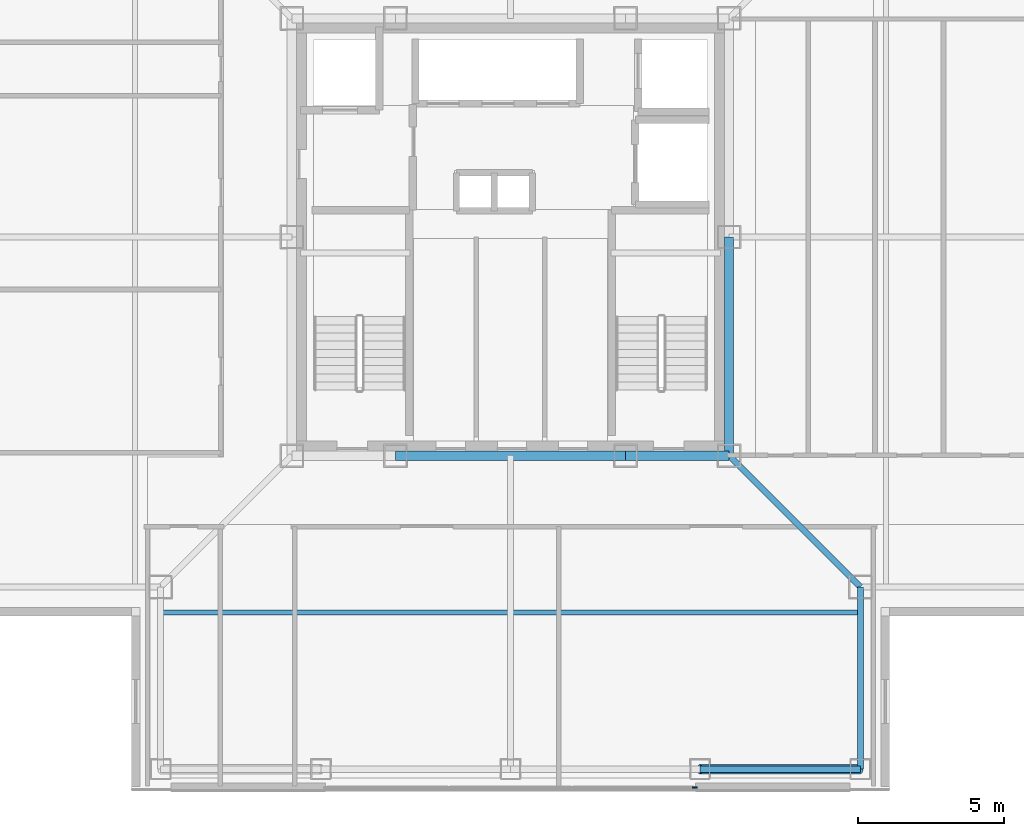
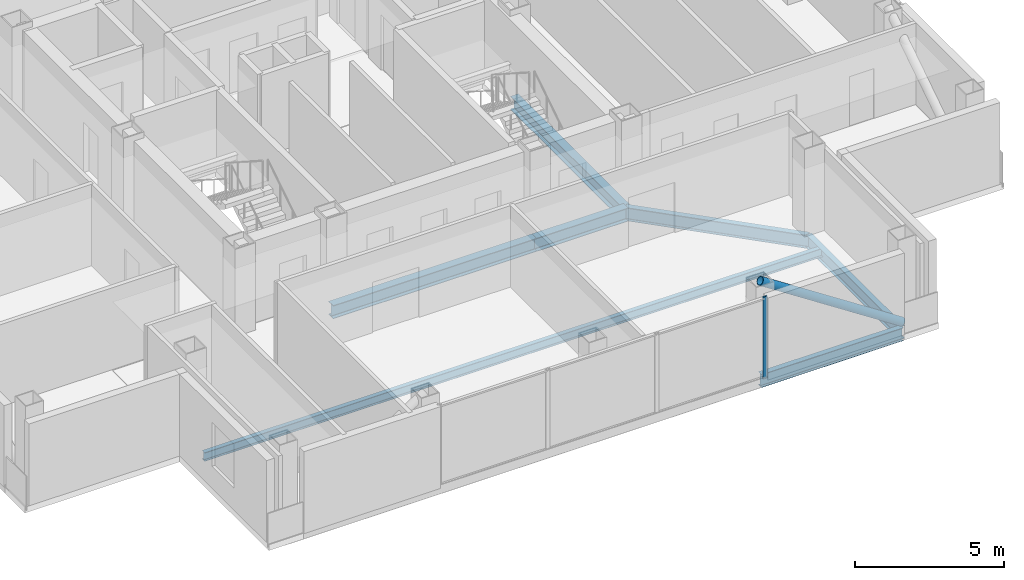
# One storey, part 3 of 16: 7 beams, 2 members, 1 element without a shape of its own.
"""IFC4 building model written with IfcOpenShell, lengths in metres."""

import ifcopenshell
import ifcopenshell.guid

model = None  # the IFC model being written
_history = None  # IfcOwnerHistory: only IFC2X3 demands one
_inside = {}  # id of a spatial element -> (the spatial element, [elements in it])
_under = {}  # id of a project, library or spatial element -> (it, [spatial elements below it])
_declared = {}  # id of a project -> (the project, [libraries it declares])
_typed = {}  # id of a type object -> (the type object, [elements of that type])
_made_of = {}  # id of a material, layer set ... -> (it, [elements and type objects made of it])


def new_model(schema):
    """Start an empty IFC model of exactly this schema.

    Asked for "IFC4X3", IfcOpenShell would pick the latest addendum, in which some entities
    have other attributes; the version numbers below select the first issue.
    IFC2X3 requires an IfcOwnerHistory on every rooted entity: one is made here for all.
    """
    global model, _history
    if schema == "IFC4X3":
        model = ifcopenshell.file(schema_version=(4, 3, 0, 0))
    else:
        model = ifcopenshell.file(schema=schema)
    _inside.clear()
    _under.clear()
    _declared.clear()
    _typed.clear()
    _made_of.clear()
    _history = None
    if model.schema == "IFC2X3":
        org = make("IfcOrganization", Name="unknown")
        user = make(
            "IfcPersonAndOrganization",
            ThePerson=make("IfcPerson", FamilyName="unknown"),
            TheOrganization=org,
        )
        app = make(
            "IfcApplication",
            ApplicationDeveloper=org,
            Version="unknown",
            ApplicationFullName="unknown",
            ApplicationIdentifier="unknown",
        )
        _history = make(
            "IfcOwnerHistory",
            OwningUser=user,
            OwningApplication=app,
            ChangeAction="ADDED",
            CreationDate=0,
        )
    return model


def make(cls, **values):
    """One entity of the class cls with the attributes given. An attribute that is None is left unset."""
    return model.create_entity(
        cls, **{name: value for name, value in values.items() if value is not None}
    )


def rooted(cls, **values):
    """An entity with a GlobalId (a new one), such as an element, a storey or a relation."""
    return make(cls, GlobalId=ifcopenshell.guid.new(), OwnerHistory=_history, **values)


def si_unit(unit_type, name, prefix=None):
    """IfcSIUnit, for example si_unit("LENGTHUNIT", "METRE", prefix="MILLI")."""
    return make("IfcSIUnit", UnitType=unit_type, Prefix=prefix, Name=name)


def assignment(units):
    """IfcUnitAssignment: the units of a project."""
    return None if units is None else make("IfcUnitAssignment", Units=units)


def point(xyz):
    """IfcCartesianPoint."""
    return None if xyz is None else make("IfcCartesianPoint", Coordinates=xyz)


def direction(xyz):
    """IfcDirection."""
    return None if xyz is None else make("IfcDirection", DirectionRatios=xyz)


def frame(location, z_axis=None, x_axis=None):
    """IfcAxis2Placement3D, a coordinate frame: its origin and axes. An axis left out is left unset."""
    return make(
        "IfcAxis2Placement3D",
        Location=point(location),
        Axis=direction(z_axis),
        RefDirection=direction(x_axis),
    )


def frame_2d(location, x_axis=None):
    """IfcAxis2Placement2D, a coordinate frame in the plane: its origin and x axis."""
    return make(
        "IfcAxis2Placement2D", Location=point(location), RefDirection=direction(x_axis)
    )


def origin():
    """The frame at (0, 0, 0) with its axes left unset."""
    return frame((0.0, 0.0, 0.0))


def origin_2d():
    """The frame at (0, 0) in the plane with its x axis left unset."""
    return frame_2d((0.0, 0.0))


def place(relative_to, where):
    """IfcLocalPlacement: puts the frame where relative to a parent placement (None: the world)."""
    return make(
        "IfcLocalPlacement", PlacementRelTo=relative_to, RelativePlacement=where
    )


def context(
    kind, dimensions, precision=None, world=None, true_north=None, identifier=None
):
    """IfcGeometricRepresentationContext, for example the 3D "Model" context."""
    return make(
        "IfcGeometricRepresentationContext",
        ContextIdentifier=identifier,
        ContextType=kind,
        CoordinateSpaceDimension=dimensions,
        Precision=precision,
        WorldCoordinateSystem=world,
        TrueNorth=true_north,
    )


def subcontext(parent, identifier, kind, view, scale=None):
    """IfcGeometricRepresentationSubContext, for example "Body" below "Model"."""
    return make(
        "IfcGeometricRepresentationSubContext",
        ContextIdentifier=identifier,
        ContextType=kind,
        ParentContext=parent,
        TargetScale=scale,
        TargetView=view,
    )


def project(units=None, contexts=None):
    """IfcProject with its units and contexts."""
    return rooted(
        "IfcProject",
        Name="project",
        RepresentationContexts=contexts,
        UnitsInContext=assignment(units),
    )


def spatial(cls, under=None, at=None, **own):
    """A site, building, storey or space (cls), placed at a placement, below another one or the project."""
    s = rooted(cls, ObjectPlacement=at, **own)
    if under is not None:
        _under.setdefault(under.id(), (under, []))[1].append(s)
    return s


def profile(cls, at=None, kind="AREA", **sizes):
    """A parametric profile (cls). Its sizes go by their IFC names, for example OverallWidth=200.0."""
    return make(cls, ProfileType=kind, Position=at, **sizes)


def rectangle(**sizes):
    """IfcRectangleProfileDef."""
    return profile("IfcRectangleProfileDef", **sizes)


def hollow_circle(**sizes):
    """IfcCircleHollowProfileDef."""
    return profile("IfcCircleHollowProfileDef", **sizes)


def i_section(**sizes):
    """IfcIShapeProfileDef."""
    return profile("IfcIShapeProfileDef", **sizes)


def extrude(swept, where, along, depth):
    """IfcExtrudedAreaSolid: the profile swept, set in the frame where, extruded along a direction by depth."""
    return make(
        "IfcExtrudedAreaSolid",
        SweptArea=swept,
        Position=where,
        ExtrudedDirection=direction(along),
        Depth=depth,
    )


def shape(context_of_items, identifier, shape_type, items):
    """IfcShapeRepresentation: the items that make up one representation, for example the "Body"."""
    return make(
        "IfcShapeRepresentation",
        ContextOfItems=context_of_items,
        RepresentationIdentifier=identifier,
        RepresentationType=shape_type,
        Items=items,
    )


def material(Name=None, Category=None):
    """IfcMaterial."""
    return make("IfcMaterial", Name=Name, Category=Category)


def layer(
    of_material, thickness, ventilated=None, Name=None, Category=None, Priority=None
):
    """IfcMaterialLayer: one layer of a wall or slab, of a material (None: an air gap)."""
    return make(
        "IfcMaterialLayer",
        Material=of_material,
        LayerThickness=thickness,
        IsVentilated=ventilated,
        Name=Name,
        Category=Category,
        Priority=Priority,
    )


def layer_set(layers, Name=None):
    """IfcMaterialLayerSet."""
    return make("IfcMaterialLayerSet", MaterialLayers=layers, LayerSetName=Name)


def material_profile(
    of_material, cross_section, Name=None, Category=None, Priority=None
):
    """IfcMaterialProfile: a cross section and its material."""
    return make(
        "IfcMaterialProfile",
        Name=Name,
        Material=of_material,
        Profile=cross_section,
        Priority=Priority,
        Category=Category,
    )


def profile_set(profiles, Name=None, composite=None):
    """IfcMaterialProfileSet."""
    return make(
        "IfcMaterialProfileSet",
        Name=Name,
        MaterialProfiles=profiles,
        CompositeProfile=composite,
    )


def made_of(thing, what):
    """Note that an element or type object is made of a material, layer set ...; save() writes the relation."""
    if what is not None:
        _made_of.setdefault(what.id(), (what, []))[1].append(thing)
    return thing


def type_object(cls, material=None, **own):
    """A type object (cls), such as IfcWallType, which elements share."""
    return made_of(rooted(cls, **own), material)


def element(
    cls,
    number,
    at=None,
    inside=None,
    cuts=None,
    type_object=None,
    material=None,
    context=None,
    identifier="Body",
    shape_type=None,
    held_by="IfcProductDefinitionShape",
    body=None,
    shapes=None,
    **own,
):
    """One element of the class cls, such as IfcWall. Its Tag is "e" and its number.

    at: its placement. inside: the storey or other place that contains it. cuts: it is an
    opening in that element (IfcRelVoidsElement). A single representation is given by context,
    identifier, shape_type and body (its items); several are given by shapes. held_by: the class
    of the entity that holds the representations. save() writes the other relations.
    """
    e = rooted(cls, Tag="e%d" % number, ObjectPlacement=at, **own)
    if body is not None:
        shapes = [shape(context, identifier, shape_type, body)]
    if shapes is not None:
        e.Representation = make(held_by, Representations=shapes)
    if inside is not None:
        _inside.setdefault(inside.id(), (inside, []))[1].append(e)
    if cuts is not None:
        rooted(
            "IfcRelVoidsElement", RelatingBuildingElement=cuts, RelatedOpeningElement=e
        )
    if type_object is not None:
        _typed.setdefault(type_object.id(), (type_object, []))[1].append(e)
    return made_of(e, material)


def aggregate(whole, parts):
    """IfcRelAggregates: a whole, such as a stair, and the parts it consists of."""
    return rooted("IfcRelAggregates", RelatingObject=whole, RelatedObjects=parts)


def save(model, path):
    """Write the relations noted so far, then the file.

    IfcRelAggregates (storeys below a building ...), IfcRelContainedInSpatialStructure (elements
    in a storey), IfcRelDefinesByType, IfcRelAssociatesMaterial and IfcRelDeclares: one each for
    every whole, place, type object, material and project.
    """
    for whole, parts in _under.values():
        aggregate(whole, parts)
    for where, things in _inside.values():
        rooted(
            "IfcRelContainedInSpatialStructure",
            RelatedElements=things,
            RelatingStructure=where,
        )
    for kind, things in _typed.values():
        rooted("IfcRelDefinesByType", RelatedObjects=things, RelatingType=kind)
    for what, things in _made_of.values():
        rooted("IfcRelAssociatesMaterial", RelatedObjects=things, RelatingMaterial=what)
    for by, libraries in _declared.values():
        rooted("IfcRelDeclares", RelatingContext=by, RelatedDefinitions=libraries)
    model.write(path)


model = new_model("IFC4")

# Units and contexts
model_context = context("Model", 3, precision=1e-05, world=origin(), true_north=direction((0.0, 1.0)))
body_context = subcontext(model_context, "Body", "Model", "MODEL_VIEW")
ifc_project = project(units=[si_unit("LENGTHUNIT", "METRE"), si_unit("AREAUNIT", "SQUARE_METRE"), si_unit("VOLUMEUNIT", "CUBIC_METRE"), si_unit("PLANEANGLEUNIT", "RADIAN"), si_unit("MASSUNIT", "GRAM", prefix="KILO")], contexts=[model_context])

# Site, building, storey
site_placement = place(None, origin())
site = spatial("IfcSite", under=ifc_project, at=site_placement, CompositionType="ELEMENT")
building_placement = place(site_placement, origin())
building = spatial("IfcBuilding", under=site, at=building_placement, Name="Trevonay Congress Spire", CompositionType="ELEMENT")
storey_placement = place(building_placement, frame((0.0, 0.0, 279.199951171875)))
storey = spatial("IfcBuildingStorey", under=building, at=storey_placement, Name="L73", CompositionType="ELEMENT", Elevation=279.199951171875)

# Beams
ifc_material_1 = material(Name="Steel ASTM A572 Grade 50", Category="steel")
ifc_material_profile_1 = material_profile(ifc_material_1, i_section(OverallWidth=0.2119140625, OverallDepth=0.5439453125, WebThickness=0.01318359375, FlangeThickness=0.021240234375, FilletRadius=0.014892578125, at=origin_2d()), Name="W530x123")
ifc_profile_set_1 = profile_set([ifc_material_profile_1], Name="Steel ASTM A572 Grade 50")
beam_type_1 = type_object("IfcBeamType", Name="BM-GIRD-W530X123", PredefinedType="BEAM", material=ifc_profile_set_1)
beam_1_placement = place(storey_placement, frame((7.5, -7.5, -0.511962890625), z_axis=(0.707106781187, -0.707106781187, 0.0), x_axis=(0.707106781187, 0.707106781187, 0.0)))
element("IfcBeam", 1, at=beam_1_placement, inside=storey, type_object=beam_type_1, Name="L73 structural beam BM-L73-CDSE", PredefinedType="BEAM", context=body_context, shape_type="SweptSolid", body=[
    extrude(i_section(OverallWidth=0.2119140625, OverallDepth=0.5439453125, WebThickness=0.01318359375, FlangeThickness=0.021240234375, FilletRadius=0.014892578125, at=origin_2d()), origin(), (0.0, 0.0, 1.0), 6.364013671875),
])
ifc_material_profile_2 = material_profile(ifc_material_1, i_section(OverallWidth=0.31201171875, OverallDepth=0.54296875, WebThickness=0.0126953125, FlangeThickness=0.020263671875, FilletRadius=0.014892578125, at=origin_2d()), Name="W530x150")
ifc_profile_set_2 = profile_set([ifc_material_profile_2], Name="Steel ASTM A572 Grade 50")
beam_type_2 = type_object("IfcBeamType", Name="BM-GIRD-W530X150", PredefinedType="BEAM", material=ifc_profile_set_2)
beam_2_placement = place(storey_placement, frame((-3.949951171875, -7.5, -0.511474609375), z_axis=(1.0, 0.0, 0.0), x_axis=(0.0, 1.0, 0.0)))
element("IfcBeam", 2, at=beam_2_placement, inside=storey, type_object=beam_type_2, Name="L73 structural beam BM-L73-CR-S2", PredefinedType="BEAM", context=body_context, shape_type="SweptSolid", body=[
    extrude(i_section(OverallWidth=0.31201171875, OverallDepth=0.54296875, WebThickness=0.0126953125, FlangeThickness=0.020263671875, FilletRadius=0.014892578125, at=origin_2d()), origin(), (0.0, 0.0, 1.0), 7.89990234375),
])
beam_3_placement = place(storey_placement, frame((3.949951171875, -7.5, -0.511474609375), z_axis=(1.0, 0.0, 0.0), x_axis=(0.0, 1.0, 0.0)))
element("IfcBeam", 3, at=beam_3_placement, inside=storey, type_object=beam_type_2, Name="L73 structural beam BM-L73-CR-S3", PredefinedType="BEAM", context=body_context, shape_type="SweptSolid", body=[
    extrude(i_section(OverallWidth=0.31201171875, OverallDepth=0.54296875, WebThickness=0.0126953125, FlangeThickness=0.020263671875, FilletRadius=0.014892578125, at=origin_2d()), origin(), (0.0, 0.0, 1.0), 3.550048828125),
])
beam_4_placement = place(storey_placement, frame((7.5, -7.5, -0.511474609375), z_axis=(0.0, 1.0, 0.0), x_axis=(-1.0, 0.0, 0.0)))
element("IfcBeam", 4, at=beam_4_placement, inside=storey, type_object=beam_type_2, Name="L73 structural beam BM-L73-CR-E1", PredefinedType="BEAM", context=body_context, shape_type="SweptSolid", body=[
    extrude(i_section(OverallWidth=0.31201171875, OverallDepth=0.54296875, WebThickness=0.0126953125, FlangeThickness=0.020263671875, FilletRadius=0.014892578125, at=origin_2d()), origin(), (0.0, 0.0, 1.0), 7.5),
])
ifc_material_profile_3 = material_profile(ifc_material_1, i_section(OverallWidth=0.208984375, OverallDepth=0.532958984375, WebThickness=0.01025390625, FlangeThickness=0.015625, FilletRadius=0.014892578125, at=origin_2d()), Name="W530x92")
ifc_profile_set_3 = profile_set([ifc_material_profile_3], Name="Steel ASTM A572 Grade 50")
beam_type_3 = type_object("IfcBeamType", Name="BM-RING-W530X92", PredefinedType="BEAM", material=ifc_profile_set_3)
beam_5_placement = place(storey_placement, frame((6.5, -18.25, -0.50634765625), z_axis=(1.0, 0.0, 0.0), x_axis=(0.0, 1.0, 0.0)))
element("IfcBeam", 5, at=beam_5_placement, inside=storey, type_object=beam_type_3, Name="L73 structural beam BM-L73-PS4", PredefinedType="BEAM", context=body_context, shape_type="SweptSolid", body=[
    extrude(i_section(OverallWidth=0.208984375, OverallDepth=0.532958984375, WebThickness=0.01025390625, FlangeThickness=0.015625, FilletRadius=0.014892578125, at=origin_2d()), origin(), (0.0, 0.0, 1.0), 5.5),
])
beam_6_placement = place(storey_placement, frame((12.0, -18.25, -0.50634765625), z_axis=(0.0, 1.0, 0.0), x_axis=(-1.0, 0.0, 0.0)))
element("IfcBeam", 6, at=beam_6_placement, inside=storey, type_object=beam_type_3, Name="L73 structural beam BM-L73-N1SE", PredefinedType="BEAM", context=body_context, shape_type="SweptSolid", body=[
    extrude(i_section(OverallWidth=0.208984375, OverallDepth=0.532958984375, WebThickness=0.01025390625, FlangeThickness=0.015625, FilletRadius=0.014892578125, at=origin_2d()), origin(), (0.0, 0.0, 1.0), 6.25),
])

# Curtain wall, member
ifc_material_2 = material(Name="Pale Anodised Aluminium EN AW-6063-T6", Category="aluminium")
ifc_layer = layer(ifc_material_2, 0.1650390625, Name="Pale Anodised Aluminium EN AW-6063-T6")
ifc_layer_set = layer_set([ifc_layer], Name="Pale Anodised Aluminium EN AW-6063-T6")
curtain_wall_type = type_object("IfcCurtainWallType", Name="CW-SYS05-DIPLOM-PALE-METAL", PredefinedType="NOTDEFINED", material=ifc_layer_set)
curtain_wall_placement = place(storey_placement, origin())
curtain_wall = element("IfcCurtainWall", 7, at=curtain_wall_placement, inside=storey, type_object=curtain_wall_type, Name="L73 S unitised curtain wall", PredefinedType="NOTDEFINED")
ifc_material_profile_4 = material_profile(ifc_material_2, rectangle(XDim=0.06005859375, YDim=0.159912109375, at=origin_2d()), Name="CW-MULLION-160-ALUMINIUM")
ifc_profile_set_4 = profile_set([ifc_material_profile_4], Name="Pale Anodised Aluminium EN AW-6063-T6")
member_type_1 = type_object("IfcMemberType", Name="CW-MULLION-160-ALUMINIUM", PredefinedType="MULLION", material=ifc_profile_set_4)
member_1_placement = place(storey_placement, frame((6.320068359375, -18.8798828125, 0.0), z_axis=(0.0, 0.0, 1.0), x_axis=(0.0, 1.0, 0.0)))
member_1 = element("IfcMember", 8, at=member_1_placement, type_object=member_type_1, Name="CW05 mullion 4", PredefinedType="MULLION", context=body_context, shape_type="SweptSolid", body=[
    extrude(rectangle(XDim=0.06005859375, YDim=0.159912109375, at=origin_2d()), origin(), (0.0, 0.0, 1.0), 3.360107421875),
])
aggregate(curtain_wall, [member_1])

# Beam
ifc_material_profile_5 = material_profile(ifc_material_1, i_section(OverallWidth=0.172119140625, OverallDepth=0.35791015625, WebThickness=0.0078125, FlangeThickness=0.01318359375, FilletRadius=0.011962890625, at=origin_2d()), Name="W360x57.8")
ifc_profile_set_5 = profile_set([ifc_material_profile_5], Name="Steel ASTM A572 Grade 50")
beam_type_4 = type_object("IfcBeamType", Name="JS-COMP-W360X57", PredefinedType="JOIST", material=ifc_profile_set_5)
beam_7_placement = place(storey_placement, frame((-12.0, -12.875, -0.4189453125), z_axis=(1.0, 0.0, 0.0), x_axis=(0.0, 1.0, 0.0)))
element("IfcBeam", 9, at=beam_7_placement, inside=storey, type_object=beam_type_4, Name="L73 structural beam JS-L73-RING-S", PredefinedType="JOIST", context=body_context, shape_type="SweptSolid", body=[
    extrude(i_section(OverallWidth=0.172119140625, OverallDepth=0.35791015625, WebThickness=0.0078125, FlangeThickness=0.01318359375, FilletRadius=0.011962890625, at=origin_2d()), origin(), (0.0, 0.0, 1.0), 24.0),
])

# Member
ifc_material_3 = material(Name="Steel ASTM A500 Grade C", Category="steel")
ifc_material_profile_6 = material_profile(ifc_material_3, hollow_circle(Radius=0.161865234375, WallThickness=0.01611328125, at=origin_2d()), Name="CHS 323.9x16")
ifc_profile_set_6 = profile_set([ifc_material_profile_6], Name="Steel ASTM A500 Grade C")
member_type_2 = type_object("IfcMemberType", Name="MBR-TUBE-CHS324", PredefinedType="BRACE", material=ifc_profile_set_6)
member_2_placement = place(storey_placement, frame((12.0, -18.25, -0.050048828125), z_axis=(-0.836694709366, 0.0, 0.547669574943), x_axis=(0.0, -1.0, 0.0)))
element("IfcMember", 10, at=member_2_placement, inside=storey, type_object=member_type_2, Name="L73 perimeter braced-tube diagonal S3", PredefinedType="BRACE", context=body_context, shape_type="SweptSolid", body=[
    extrude(hollow_circle(Radius=0.161865234375, WallThickness=0.01611328125, at=origin_2d()), origin(), (0.0, 0.0, 1.0), 6.573486328125),
])

save(model, "model.ifc")
